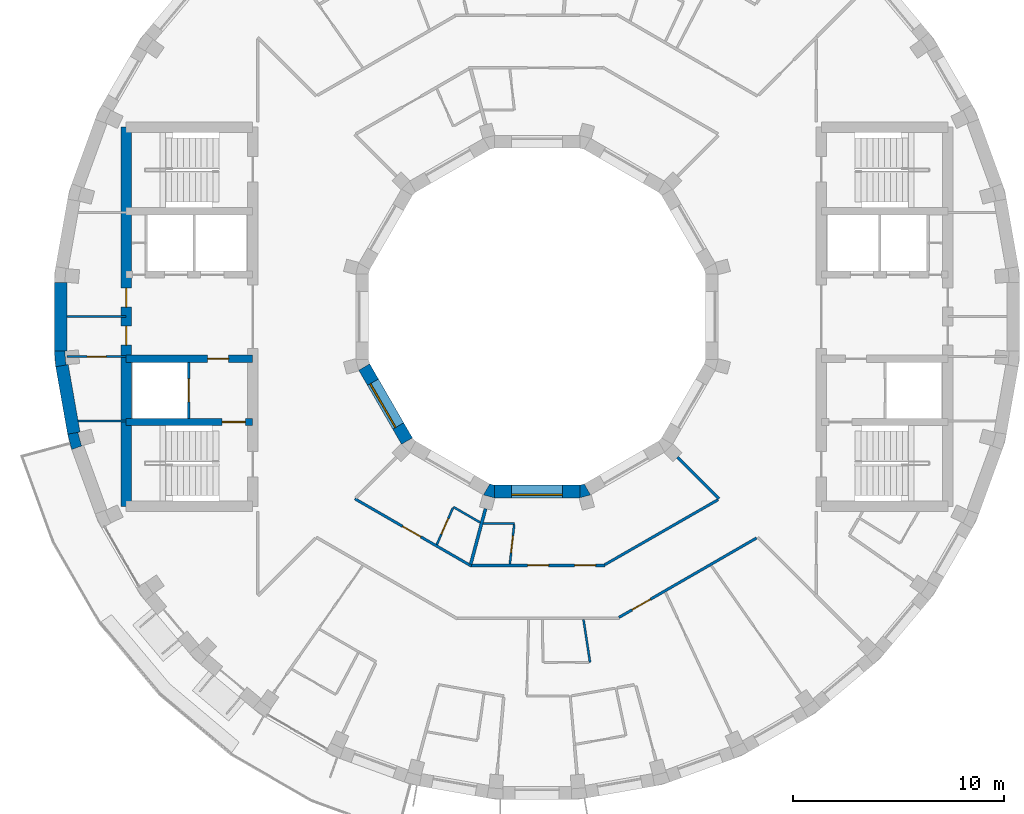
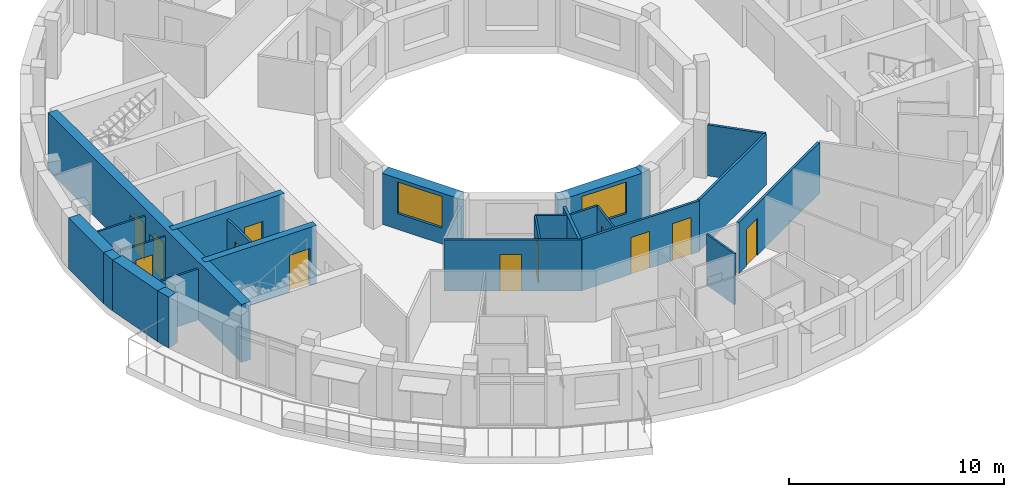
# One storey, part 5 of 12: 26 walls, 12 doors, 2 windows, 14 openings.
"""IFC4 building model written with IfcOpenShell, lengths in metres."""

from ifc_helpers import new_model, si_unit, direction, frame, frame_2d, origin, place, context, subcontext, project, spatial, polyline, rectangle, outline, extrude, material, layer, layer_set, type_object, element, fill, save


model = new_model("IFC4")

# Units and contexts
model_context = context("Model", 3, precision=1e-05, world=origin(), true_north=direction((0.0, 1.0)))
body_context = subcontext(model_context, "Body", "Model", "MODEL_VIEW")
ifc_project = project(units=[si_unit("LENGTHUNIT", "METRE"), si_unit("AREAUNIT", "SQUARE_METRE"), si_unit("VOLUMEUNIT", "CUBIC_METRE"), si_unit("PLANEANGLEUNIT", "RADIAN"), si_unit("MASSUNIT", "GRAM", prefix="KILO")], contexts=[model_context])

# Site, building, storey
site_placement = place(None, origin())
site = spatial("IfcSite", under=ifc_project, at=site_placement, CompositionType="ELEMENT")
building_placement = place(site_placement, origin())
building = spatial("IfcBuilding", under=site, at=building_placement, Name="Saqina Gate Tower", CompositionType="ELEMENT")
storey_placement = place(building_placement, frame((0.0, 0.0, 266.0)))
storey = spatial("IfcBuildingStorey", under=building, at=storey_placement, Name="L76", CompositionType="ELEMENT", Elevation=266.0)

# Walls
ifc_material_1 = material(Name="Brick masonry (buff)", Category="masonry")
wall_type_1 = type_object("IfcWallType", Name="BRICK PIER COPING BUFF", PredefinedType="SOLIDWALL", material=ifc_material_1)
wall_1_placement = place(storey_placement, origin())
element("IfcWall", 1, at=wall_1_placement, inside=storey, type_object=wall_type_1, Name="Pier cap L76 column 19", PredefinedType="SOLIDWALL", context=body_context, shape_type="SweptSolid", body=[
    extrude(outline(polyline([(-22.91259765625, -1.625732421875), (-22.8466796875, -2.377685546875), (-22.255859375, -2.2734375), (-22.361083984375, -2.28271484375), (-22.417724609375, -1.635009765625), (-22.3125, -1.625732421875), (-22.91259765625, -1.625732421875)])), origin(), (0.0, 0.0, 1.0), 2.89990234375),
])
wall_2_placement = place(storey_placement, origin())
element("IfcWall", 2, at=wall_2_placement, inside=storey, type_object=wall_type_1, Name="Pier cap L76 column 20", PredefinedType="SOLIDWALL", context=body_context, shape_type="SweptSolid", body=[
    extrude(outline(polyline([(-22.0869140625, -6.30859375), (-21.52294921875, -6.103515625), (-21.625, -6.130859375), (-21.793212890625, -5.5029296875), (-21.691162109375, -5.4755859375), (-22.281982421875, -5.579833984375), (-22.0869140625, -6.30859375)])), origin(), (0.0, 0.0, 1.0), 2.89990234375),
])
ifc_material_2 = material(Name="Gypsum board on steel studs", Category="steel")
ifc_layer_1 = layer(ifc_material_2, 0.10009765625)
ifc_layer_set_1 = layer_set([ifc_layer_1], Name="CORE PARTITION")
wall_type_2 = type_object("IfcWallType", Name="CORE PARTITION", PredefinedType="PARTITIONING", material=ifc_layer_set_1)
wall_3_placement = place(storey_placement, frame((-19.5, -4.949951171875, 0.0), z_axis=(0.0, 0.0, 1.0), x_axis=(-1.0, 0.0, 0.0)))
element("IfcWall", 3, at=wall_3_placement, inside=storey, type_object=wall_type_2, Name="L76-CP-W03", PredefinedType="PARTITIONING", context=body_context, shape_type="SweptSolid", body=[
    extrude(rectangle(XDim=2.283935546875, YDim=0.10009765625, at=frame_2d((1.14208984375, 0.0))), origin(), (0.0, 0.0, 1.0), 2.89990234375),
])

# Wall, opening, door
wall_4_placement = place(storey_placement, frame((-19.5, -1.89990234375, 0.0), z_axis=(0.0, 0.0, 1.0), x_axis=(-1.0, 0.0, 0.0)))
wall_4 = element("IfcWall", 4, at=wall_4_placement, inside=storey, type_object=wall_type_2, Name="L76-CP-W04", PredefinedType="PARTITIONING", context=body_context, shape_type="SweptSolid", body=[
    extrude(rectangle(XDim=2.8125, YDim=0.10009765625, at=frame_2d((1.40625, 0.0))), origin(), (0.0, 0.0, 1.0), 2.89990234375),
])
opening_1_placement = place(wall_4_placement, frame((0.956298828125, 0.0, 0.0)))
opening_1 = element("IfcOpeningElement", 5, at=opening_1_placement, cuts=wall_4, Name="Opening G22-D103", PredefinedType="OPENING", context=body_context, shape_type="SweptSolid", body=[
    extrude(rectangle(XDim=0.89990234375, YDim=2.10009765625, at=frame_2d((0.449951171875, 1.050048828125))), frame((0.0, 0.06201171875, 0.0), z_axis=(0.0, -1.0, 0.0), x_axis=(1.0, 0.0, 0.0)), (0.0, 0.0, 1.0), 0.1240234375),
])
ifc_material_3 = material(Name="Steel-framed fire door leaf, EI 60", Category="steel")
door_type_1 = type_object("IfcDoorType", Name="SERVICE ROOM DOOR 900", OperationType="SINGLE_SWING_LEFT", PredefinedType="DOOR", material=ifc_material_3)
door_1_placement = place(opening_1_placement, origin())
door_1 = element("IfcDoor", 6, at=door_1_placement, inside=storey, type_object=door_type_1, Name="L76-CD-W14", OperationType="SINGLE_SWING_RIGHT", OverallHeight=2.10009765625, OverallWidth=0.89990234375, PredefinedType="DOOR", context=body_context, shape_type="SweptSolid", body=[
    extrude(rectangle(XDim=0.89990234375, YDim=2.10009765625, at=frame_2d((0.449951171875, 1.050048828125))), frame((0.0, 0.02490234375, 0.0), z_axis=(0.0, -1.0, 0.0), x_axis=(1.0, 0.0, 0.0)), (0.0, 0.0, 1.0), 0.050048828125),
])
fill(opening_1, door_1)

# Walls
wall_5_placement = place(storey_placement, frame((-19.5, 0.0, 0.0), z_axis=(0.0, 0.0, 1.0), x_axis=(-1.0, 0.0, 0.0)))
element("IfcWall", 7, at=wall_5_placement, inside=storey, type_object=wall_type_2, Name="L76-CP-W05", PredefinedType="PARTITIONING", context=body_context, shape_type="SweptSolid", body=[
    extrude(rectangle(XDim=2.8125, YDim=0.10009765625, at=frame_2d((1.40625, 0.0))), origin(), (0.0, 0.0, 1.0), 2.89990234375),
])
ifc_material_4 = material(Name="Glazed ceramic tile", Category="ceramic")
ifc_layer_2 = layer(ifc_material_4, 0.60009765625)
ifc_layer_set_2 = layer_set([ifc_layer_2], Name="FW-TILE")
wall_type_3 = type_object("IfcWallType", Name="FW-TILE", PredefinedType="SOLIDWALL", material=ifc_layer_set_2)
wall_6_placement = place(storey_placement, frame((-22.55126953125, -2.325439453125, 0.0), z_axis=(0.0, 0.0, 1.0), x_axis=(0.173656842178, -0.984806225186, 0.0)))
element("IfcWall", 8, at=wall_6_placement, inside=storey, type_object=wall_type_3, Name="Facade wall L76 facet 19", PredefinedType="SOLIDWALL", context=body_context, shape_type="SweptSolid", body=[
    extrude(rectangle(XDim=3.251708984375, YDim=0.60009765625, at=frame_2d((1.6259765625, 0.0))), origin(), (0.0, 0.0, 1.0), 2.89990234375),
])
ifc_material_5 = material(Name="Glazed ceramic tile (dark blue)", Category="ceramic")
ifc_layer_3 = layer(ifc_material_5, 0.60009765625)
ifc_layer_set_3 = layer_set([ifc_layer_3], Name="FW-TILE-CB")
wall_type_4 = type_object("IfcWallType", Name="FW-TILE-CB", PredefinedType="SOLIDWALL", material=ifc_layer_set_3)
wall_7_placement = place(storey_placement, frame((-22.612548828125, 1.625732421875, 0.0), z_axis=(0.0, 0.0, 1.0), x_axis=(0.0, -1.0, 0.0)))
element("IfcWall", 9, at=wall_7_placement, inside=storey, type_object=wall_type_4, Name="Facade wall L76 facet 18", PredefinedType="SOLIDWALL", context=body_context, shape_type="SweptSolid", body=[
    extrude(rectangle(XDim=3.25146484375, YDim=0.60009765625, at=frame_2d((1.625732421875, 0.0))), origin(), (0.0, 0.0, 1.0), 2.89990234375),
])

# Wall, opening, window
ifc_material_6 = material(Name="Glazed ceramic tile", Category="ceramic")
ifc_layer_4 = layer(ifc_material_6, 0.60009765625)
ifc_layer_set_4 = layer_set([ifc_layer_4], Name="IW-TILE")
wall_type_5 = type_object("IfcWallType", Name="IW-TILE", PredefinedType="SOLIDWALL", material=ifc_layer_set_4)
wall_8_placement = place(storey_placement, frame((-8.20263671875, -2.392578125, 0.0), z_axis=(0.0, 0.0, 1.0), x_axis=(0.499994954979, -0.866028316509, 0.0)))
wall_8 = element("IfcWall", 10, at=wall_8_placement, inside=storey, type_object=wall_type_5, Name="Well wall L76 facet 7", PredefinedType="SOLIDWALL", context=body_context, shape_type="SweptSolid", body=[
    extrude(rectangle(XDim=4.05859375, YDim=0.60009765625, at=frame_2d((2.029296875, 0.0))), origin(), (0.0, 0.0, 1.0), 2.89990234375),
])
opening_2_placement = place(wall_8_placement, frame((0.829345703125, 0.0, 0.89990234375)))
opening_2 = element("IfcOpeningElement", 11, at=opening_2_placement, cuts=wall_8, Name="Opening G22-W29", PredefinedType="OPENING", context=body_context, shape_type="SweptSolid", body=[
    extrude(rectangle(XDim=2.39990234375, YDim=1.800048828125, at=frame_2d((1.199951171875, 0.89990234375))), frame((0.0, 0.31201171875, 0.0), z_axis=(0.0, -1.0, 0.0), x_axis=(1.0, 0.0, 0.0)), (0.0, 0.0, 1.0), 0.6240234375),
])
ifc_material_7 = material(Name="Aluminium glazing", Category="aluminium")
window_type = type_object("IfcWindowType", Name="WN-W", PartitioningType="SINGLE_PANEL", PredefinedType="WINDOW", material=ifc_material_7)
window_1_placement = place(opening_2_placement, origin())
window_1 = element("IfcWindow", 12, at=window_1_placement, inside=storey, type_object=window_type, Name="Well window L76 facet 7", OverallHeight=1.800048828125, OverallWidth=2.39990234375, PartitioningType="SINGLE_PANEL", PredefinedType="WINDOW", context=body_context, shape_type="SweptSolid", body=[
    extrude(rectangle(XDim=2.39990234375, YDim=1.800048828125, at=frame_2d((1.199951171875, 0.89990234375))), frame((0.0, -0.119873046875, 0.0), z_axis=(0.0, -1.0, 0.0), x_axis=(1.0, 0.0, 0.0)), (0.0, 0.0, 1.0), 0.06005859375),
])
fill(opening_2, window_1)

wall_9_placement = place(storey_placement, frame((-2.029296875, -8.300048828125, 0.0), z_axis=(0.0, 0.0, 1.0), x_axis=(1.0, 0.0, 0.0)))
wall_9 = element("IfcWall", 13, at=wall_9_placement, inside=storey, type_object=wall_type_5, Name="Well wall L76 facet 9", PredefinedType="SOLIDWALL", context=body_context, shape_type="SweptSolid", body=[
    extrude(rectangle(XDim=4.05859375, YDim=0.60009765625, at=frame_2d((2.029296875, 0.0))), origin(), (0.0, 0.0, 1.0), 2.89990234375),
])
opening_3_placement = place(wall_9_placement, frame((0.829345703125, 0.0, 0.89990234375)))
opening_3 = element("IfcOpeningElement", 14, at=opening_3_placement, cuts=wall_9, Name="Opening G22-W31", PredefinedType="OPENING", context=body_context, shape_type="SweptSolid", body=[
    extrude(rectangle(XDim=2.39990234375, YDim=1.800048828125, at=frame_2d((1.199951171875, 0.89990234375))), frame((0.0, 0.31201171875, 0.0), z_axis=(0.0, -1.0, 0.0), x_axis=(1.0, 0.0, 0.0)), (0.0, 0.0, 1.0), 0.6240234375),
])
window_2_placement = place(opening_3_placement, origin())
window_2 = element("IfcWindow", 15, at=window_2_placement, inside=storey, type_object=window_type, Name="Well window L76 facet 9", OverallHeight=1.800048828125, OverallWidth=2.39990234375, PartitioningType="SINGLE_PANEL", PredefinedType="WINDOW", context=body_context, shape_type="SweptSolid", body=[
    extrude(rectangle(XDim=2.39990234375, YDim=1.800048828125, at=frame_2d((1.199951171875, 0.89990234375))), frame((0.0, -0.119873046875, 0.0), z_axis=(0.0, -1.0, 0.0), x_axis=(1.0, 0.0, 0.0)), (0.0, 0.0, 1.0), 0.06005859375),
])
fill(opening_3, window_2)

# Walls
ifc_material_8 = material(Name="Gypsum board on steel studs, 100 mm", Category="steel")
ifc_layer_5 = layer(ifc_material_8, 0.10009765625)
ifc_layer_set_5 = layer_set([ifc_layer_5], Name="PARTITION 100")
wall_type_6 = type_object("IfcWallType", Name="PARTITION 100", PredefinedType="PARTITIONING", material=ifc_layer_set_5)
wall_10_placement = place(storey_placement, frame((2.20556640625, -14.371826171875, 0.0), z_axis=(0.0, 0.0, 1.0), x_axis=(0.151514148926, -0.988455088851, 0.0)))
element("IfcWall", 16, at=wall_10_placement, inside=storey, type_object=wall_type_6, Name="PARTITION PW3-04", PredefinedType="PARTITIONING", context=body_context, shape_type="SweptSolid", body=[
    extrude(rectangle(XDim=2.060791015625, YDim=0.10009765625, at=frame_2d((1.0302734375, 0.0))), origin(), (0.0, 0.0, 1.0), 2.89990234375),
])
wall_11_placement = place(storey_placement, frame((-3.971923828125, -9.033935546875, 0.0), z_axis=(0.0, 0.0, 1.0), x_axis=(0.865841190759, -0.500318930668, 0.0)))
element("IfcWall", 17, at=wall_11_placement, inside=storey, type_object=wall_type_6, Name="PARTITION PW3-18", PredefinedType="PARTITIONING", context=body_context, shape_type="SweptSolid", body=[
    extrude(rectangle(XDim=1.47607421875, YDim=0.10009765625, at=frame_2d((0.738037109375, 0.0))), origin(), (0.0, 0.0, 1.0), 2.89990234375),
])
wall_12_placement = place(storey_placement, frame((-2.553955078125, -9.81005859375, 0.0), z_axis=(0.0, 0.0, 1.0), x_axis=(1.0, 0.0, 0.0)))
element("IfcWall", 18, at=wall_12_placement, inside=storey, type_object=wall_type_6, Name="PARTITION PW3-28", PredefinedType="PARTITIONING", context=body_context, shape_type="SweptSolid", body=[
    extrude(rectangle(XDim=1.47705078125, YDim=0.10009765625, at=frame_2d((0.738525390625, 0.0))), origin(), (0.0, 0.0, 1.0), 2.89990234375),
])

# Wall, opening, door
wall_13_placement = place(storey_placement, frame((-4.7568359375, -10.81884765625, 0.0), z_axis=(0.0, 0.0, 1.0), x_axis=(0.402510340415, 0.915415438945, 0.0)))
wall_13 = element("IfcWall", 19, at=wall_13_placement, inside=storey, type_object=wall_type_6, Name="PARTITION PW3-47", PredefinedType="PARTITIONING", context=body_context, shape_type="SweptSolid", body=[
    extrude(rectangle(XDim=1.899658203125, YDim=0.10009765625, at=frame_2d((0.94970703125, 0.0))), origin(), (0.0, 0.0, 1.0), 2.89990234375),
])
opening_4_placement = place(wall_13_placement, frame((0.543701171875, 0.0, 0.0)))
opening_4 = element("IfcOpeningElement", 20, at=opening_4_placement, cuts=wall_13, Name="Opening G22-D30", PredefinedType="OPENING", context=body_context, shape_type="SweptSolid", body=[
    extrude(rectangle(XDim=0.800048828125, YDim=2.10009765625, at=frame_2d((0.39990234375, 1.050048828125))), frame((0.0, 0.06201171875, 0.0), z_axis=(0.0, -1.0, 0.0), x_axis=(1.0, 0.0, 0.0)), (0.0, 0.0, 1.0), 0.1240234375),
])
ifc_material_9 = material(Name="Timber door leaf, 800 mm", Category="wood")
door_type_2 = type_object("IfcDoorType", Name="DOOR 800 TIMBER", OperationType="SINGLE_SWING_LEFT", PredefinedType="DOOR", material=ifc_material_9)
door_2_placement = place(opening_4_placement, origin())
door_2 = element("IfcDoor", 21, at=door_2_placement, inside=storey, type_object=door_type_2, Name="DOOR G22-D30", OperationType="SINGLE_SWING_LEFT", OverallHeight=2.10009765625, OverallWidth=0.800048828125, PredefinedType="DOOR", context=body_context, shape_type="SweptSolid", body=[
    extrude(rectangle(XDim=0.800048828125, YDim=2.10009765625, at=frame_2d((0.39990234375, 1.050048828125))), frame((0.0, 0.02490234375, 0.0), z_axis=(0.0, -1.0, 0.0), x_axis=(1.0, 0.0, 0.0)), (0.0, 0.0, 1.0), 0.050048828125),
])
fill(opening_4, door_2)

wall_14_placement = place(storey_placement, frame((-1.290283203125, -11.747802734375, 0.0), z_axis=(0.0, 0.0, 1.0), x_axis=(0.109373495701, 0.99400072356, 0.0)))
wall_14 = element("IfcWall", 22, at=wall_14_placement, inside=storey, type_object=wall_type_6, Name="PARTITION PW3-52", PredefinedType="PARTITIONING", context=body_context, shape_type="SweptSolid", body=[
    extrude(rectangle(XDim=1.899658203125, YDim=0.10009765625, at=frame_2d((0.94970703125, 0.0))), origin(), (0.0, 0.0, 1.0), 2.89990234375),
])
opening_5_placement = place(wall_14_placement, frame((0.54345703125, 0.0, 0.0)))
opening_5 = element("IfcOpeningElement", 23, at=opening_5_placement, cuts=wall_14, Name="Opening G22-D32", PredefinedType="OPENING", context=body_context, shape_type="SweptSolid", body=[
    extrude(rectangle(XDim=0.800048828125, YDim=2.10009765625, at=frame_2d((0.39990234375, 1.050048828125))), frame((0.0, 0.06201171875, 0.0), z_axis=(0.0, -1.0, 0.0), x_axis=(1.0, 0.0, 0.0)), (0.0, 0.0, 1.0), 0.1240234375),
])
door_3_placement = place(opening_5_placement, frame((0.800048828125, 0.0, 0.0), z_axis=(0.0, 0.0, 1.0), x_axis=(-1.0, 0.0, 0.0)))
door_3 = element("IfcDoor", 24, at=door_3_placement, inside=storey, type_object=door_type_2, Name="DOOR G22-D32", OperationType="SINGLE_SWING_RIGHT", OverallHeight=2.10009765625, OverallWidth=0.800048828125, PredefinedType="DOOR", context=body_context, shape_type="SweptSolid", body=[
    extrude(rectangle(XDim=0.800048828125, YDim=2.10009765625, at=frame_2d((0.39990234375, 1.050048828125))), frame((0.0, 0.02490234375, 0.0), z_axis=(0.0, -1.0, 0.0), x_axis=(1.0, 0.0, 0.0)), (0.0, 0.0, 1.0), 0.050048828125),
])
fill(opening_5, door_3)

# Wall
ifc_material_10 = material(Name="Gypsum board on steel studs, 125 mm, fire rated", Category="steel")
ifc_layer_6 = layer(ifc_material_10, 0.125)
ifc_layer_set_6 = layer_set([ifc_layer_6], Name="PARTITION EI 30 125")
wall_type_7 = type_object("IfcWallType", Name="PARTITION EI 30 125", PredefinedType="PARTITIONING", material=ifc_layer_set_6)
wall_15_placement = place(storey_placement, frame((6.6767578125, -6.6767578125, 0.0), z_axis=(0.0, 0.0, 1.0), x_axis=(0.707106781187, -0.707106781187, 0.0)))
element("IfcWall", 25, at=wall_15_placement, inside=storey, type_object=wall_type_7, Name="PARTITION PW1-06", PredefinedType="PARTITIONING", context=body_context, shape_type="SweptSolid", body=[
    extrude(rectangle(XDim=2.784912109375, YDim=0.125, at=frame_2d((1.392578125, 0.0))), origin(), (0.0, 0.0, 1.0), 2.89990234375),
])

# Wall, opening, door
wall_16_placement = place(storey_placement, frame((-8.64599609375, -8.64599609375, 0.0), z_axis=(0.0, 0.0, 1.0), x_axis=(0.866085253322, -0.49989632323, 0.0)))
wall_16 = element("IfcWall", 26, at=wall_16_placement, inside=storey, type_object=wall_type_7, Name="PARTITION PW1-12", PredefinedType="PARTITIONING", context=body_context, shape_type="SweptSolid", body=[
    extrude(rectangle(XDim=6.401611328125, YDim=0.125, at=frame_2d((3.20068359375, 0.0))), origin(), (0.0, 0.0, 1.0), 2.89990234375),
])
opening_6_placement = place(wall_16_placement, frame((2.614013671875, 0.0, 0.0)))
opening_6 = element("IfcOpeningElement", 27, at=opening_6_placement, cuts=wall_16, Name="Opening G22-D29", PredefinedType="OPENING", context=body_context, shape_type="SweptSolid", body=[
    extrude(rectangle(XDim=1.0, YDim=2.10009765625, at=frame_2d((0.5, 1.050048828125))), frame((0.0, 0.074462890625, 0.0), z_axis=(0.0, -1.0, 0.0), x_axis=(1.0, 0.0, 0.0)), (0.0, 0.0, 1.0), 0.14892578125),
])
ifc_material_11 = material(Name="Fire door leaf EI 30, 1000 mm")
door_type_3 = type_object("IfcDoorType", Name="DOOR 1000 EI 30", OperationType="SINGLE_SWING_LEFT", PredefinedType="DOOR", material=ifc_material_11)
door_4_placement = place(opening_6_placement, origin())
door_4 = element("IfcDoor", 28, at=door_4_placement, inside=storey, type_object=door_type_3, Name="DOOR G22-D29", OperationType="SINGLE_SWING_LEFT", OverallHeight=2.10009765625, OverallWidth=1.0, PredefinedType="DOOR", context=body_context, shape_type="SweptSolid", body=[
    extrude(rectangle(XDim=1.0, YDim=2.10009765625, at=frame_2d((0.5, 1.050048828125))), frame((0.0, 0.02490234375, 0.0), z_axis=(0.0, -1.0, 0.0), x_axis=(1.0, 0.0, 0.0)), (0.0, 0.0, 1.0), 0.050048828125),
])
fill(opening_6, door_4)

# Wall, openings, doors
wall_17_placement = place(storey_placement, frame((-3.1015625, -11.81005859375, 0.0), z_axis=(0.0, 0.0, 1.0), x_axis=(1.0, 0.0, 0.0)))
wall_17 = element("IfcWall", 29, at=wall_17_placement, inside=storey, type_object=wall_type_7, Name="PARTITION PW1-18", PredefinedType="PARTITIONING", context=body_context, shape_type="SweptSolid", body=[
    extrude(rectangle(XDim=6.337646484375, YDim=0.125, at=frame_2d((3.1689453125, 0.0))), origin(), (0.0, 0.0, 1.0), 2.89990234375),
])
opening_7_placement = place(wall_17_placement, frame((2.652099609375, 0.0, 0.0)))
opening_7 = element("IfcOpeningElement", 30, at=opening_7_placement, cuts=wall_17, Name="Opening G22-D35", PredefinedType="OPENING", context=body_context, shape_type="SweptSolid", body=[
    extrude(rectangle(XDim=1.0, YDim=2.10009765625, at=frame_2d((0.5, 1.050048828125))), frame((0.0, 0.074462890625, 0.0), z_axis=(0.0, -1.0, 0.0), x_axis=(1.0, 0.0, 0.0)), (0.0, 0.0, 1.0), 0.14892578125),
])
opening_8_placement = place(wall_17_placement, frame((4.883056640625, 0.0, 0.0)))
opening_8 = element("IfcOpeningElement", 31, at=opening_8_placement, cuts=wall_17, Name="Opening G22-D38", PredefinedType="OPENING", context=body_context, shape_type="SweptSolid", body=[
    extrude(rectangle(XDim=1.0, YDim=2.10009765625, at=frame_2d((0.5, 1.050048828125))), frame((0.0, 0.074462890625, 0.0), z_axis=(0.0, -1.0, 0.0), x_axis=(1.0, 0.0, 0.0)), (0.0, 0.0, 1.0), 0.14892578125),
])
door_5_placement = place(opening_7_placement, origin())
door_5 = element("IfcDoor", 32, at=door_5_placement, inside=storey, type_object=door_type_3, Name="DOOR G22-D35", OperationType="SINGLE_SWING_LEFT", OverallHeight=2.10009765625, OverallWidth=1.0, PredefinedType="DOOR", context=body_context, shape_type="SweptSolid", body=[
    extrude(rectangle(XDim=1.0, YDim=2.10009765625, at=frame_2d((0.5, 1.050048828125))), frame((0.0, 0.02490234375, 0.0), z_axis=(0.0, -1.0, 0.0), x_axis=(1.0, 0.0, 0.0)), (0.0, 0.0, 1.0), 0.050048828125),
])
fill(opening_7, door_5)
door_6_placement = place(opening_8_placement, origin())
door_6 = element("IfcDoor", 33, at=door_6_placement, inside=storey, type_object=door_type_3, Name="DOOR G22-D38", OperationType="SINGLE_SWING_RIGHT", OverallHeight=2.10009765625, OverallWidth=1.0, PredefinedType="DOOR", context=body_context, shape_type="SweptSolid", body=[
    extrude(rectangle(XDim=1.0, YDim=2.10009765625, at=frame_2d((0.5, 1.050048828125))), frame((0.0, 0.02490234375, 0.0), z_axis=(0.0, -1.0, 0.0), x_axis=(1.0, 0.0, 0.0)), (0.0, 0.0, 1.0), 0.050048828125),
])
fill(opening_8, door_6)

# Wall
wall_18_placement = place(storey_placement, frame((3.216064453125, -11.775146484375, 0.0), z_axis=(0.0, 0.0, 1.0), x_axis=(0.86736732566, 0.497668486422, 0.0)))
element("IfcWall", 34, at=wall_18_placement, inside=storey, type_object=wall_type_7, Name="PARTITION PW1-25", PredefinedType="PARTITIONING", context=body_context, shape_type="SweptSolid", body=[
    extrude(rectangle(XDim=6.2021484375, YDim=0.125, at=frame_2d((3.10107421875, 0.0))), origin(), (0.0, 0.0, 1.0), 2.89990234375),
])

# Wall, opening, door
wall_19_placement = place(storey_placement, frame((3.88818359375, -14.27880859375, 0.0), z_axis=(0.0, 0.0, 1.0), x_axis=(0.866068111199, 0.499926021291, 0.0)))
wall_19 = element("IfcWall", 35, at=wall_19_placement, inside=storey, type_object=wall_type_7, Name="PARTITION PW1-26", PredefinedType="PARTITIONING", context=body_context, shape_type="SweptSolid", body=[
    extrude(rectangle(XDim=7.544189453125, YDim=0.125, at=frame_2d((3.77197265625, 0.0))), origin(), (0.0, 0.0, 1.0), 2.89990234375),
])
opening_9_placement = place(wall_19_placement, frame((0.72705078125, 0.0, 0.0)))
opening_9 = element("IfcOpeningElement", 36, at=opening_9_placement, cuts=wall_19, Name="Opening G22-D40", PredefinedType="OPENING", context=body_context, shape_type="SweptSolid", body=[
    extrude(rectangle(XDim=1.0, YDim=2.10009765625, at=frame_2d((0.5, 1.050048828125))), frame((0.0, 0.074462890625, 0.0), z_axis=(0.0, -1.0, 0.0), x_axis=(1.0, 0.0, 0.0)), (0.0, 0.0, 1.0), 0.14892578125),
])
door_7_placement = place(opening_9_placement, frame((1.0, 0.0, 0.0), z_axis=(0.0, 0.0, 1.0), x_axis=(-1.0, 0.0, 0.0)))
door_7 = element("IfcDoor", 37, at=door_7_placement, inside=storey, type_object=door_type_3, Name="DOOR G22-D40", OperationType="SINGLE_SWING_RIGHT", OverallHeight=2.10009765625, OverallWidth=1.0, PredefinedType="DOOR", context=body_context, shape_type="SweptSolid", body=[
    extrude(rectangle(XDim=1.0, YDim=2.10009765625, at=frame_2d((0.5, 1.050048828125))), frame((0.0, 0.02490234375, 0.0), z_axis=(0.0, -1.0, 0.0), x_axis=(1.0, 0.0, 0.0)), (0.0, 0.0, 1.0), 0.050048828125),
])
fill(opening_9, door_7)

# Wall
ifc_material_12 = material(Name="Gypsum board on steel studs, 150 mm, fire rated", Category="steel")
ifc_layer_7 = layer(ifc_material_12, 0.14990234375)
ifc_layer_set_7 = layer_set([ifc_layer_7], Name="PARTITION EI 60 150")
wall_type_8 = type_object("IfcWallType", Name="PARTITION EI 60 150", PredefinedType="PARTITIONING", material=ifc_layer_set_7)
wall_20_placement = place(storey_placement, frame((-3.14794921875, -11.74951171875, 0.0), z_axis=(0.0, 0.0, 1.0), x_axis=(0.258438641581, 0.96602767483, 0.0)))
element("IfcWall", 38, at=wall_20_placement, inside=storey, type_object=wall_type_8, Name="PARTITION PW2-05", PredefinedType="PARTITIONING", context=body_context, shape_type="SweptSolid", body=[
    extrude(rectangle(XDim=2.7216796875, YDim=0.14990234375, at=frame_2d((1.36083984375, 0.0))), origin(), (0.0, 0.0, 1.0), 2.89990234375),
])

# Wall, opening, door
ifc_material_13 = material(Name="Autoclaved aerated concrete block", Category="concrete")
ifc_layer_8 = layer(ifc_material_13, 0.1201171875)
ifc_layer_set_8 = layer_set([ifc_layer_8], Name="SHAFT PARTITION")
wall_type_9 = type_object("IfcWallType", Name="SHAFT PARTITION", PredefinedType="PARTITIONING", material=ifc_layer_set_8)
wall_21_placement = place(storey_placement, frame((-16.530029296875, -4.824951171875, 0.0), z_axis=(0.0, 0.0, 1.0), x_axis=(0.0, 1.0, 0.0)))
wall_21 = element("IfcWall", 39, at=wall_21_placement, inside=storey, type_object=wall_type_9, Name="L76-CP-W08", PredefinedType="PARTITIONING", context=body_context, shape_type="SweptSolid", body=[
    extrude(rectangle(XDim=2.64990234375, YDim=0.1201171875, at=frame_2d((1.324951171875, 0.0))), origin(), (0.0, 0.0, 1.0), 2.89990234375),
])
opening_10_placement = place(wall_21_placement, frame((0.77490234375, 0.0, 0.0)))
opening_10 = element("IfcOpeningElement", 40, at=opening_10_placement, cuts=wall_21, Name="Opening G22-LD6", PredefinedType="OPENING", context=body_context, shape_type="SweptSolid", body=[
    extrude(rectangle(XDim=1.10009765625, YDim=2.10009765625, at=frame_2d((0.550048828125, 1.050048828125))), frame((0.0, 0.072021484375, 0.0), z_axis=(0.0, -1.0, 0.0), x_axis=(1.0, 0.0, 0.0)), (0.0, 0.0, 1.0), 0.14404296875),
])
ifc_material_14 = material(Name="Stainless steel", Category="steel")
door_type_4 = type_object("IfcDoorType", Name="LANDING DOOR", OperationType="DOUBLE_DOOR_SLIDING", PredefinedType="DOOR", material=ifc_material_14)
door_8_placement = place(opening_10_placement, origin())
door_8 = element("IfcDoor", 41, at=door_8_placement, inside=storey, type_object=door_type_4, Name="LANDING DOOR FF2", OperationType="DOUBLE_DOOR_SLIDING", OverallHeight=2.10009765625, OverallWidth=1.10009765625, PredefinedType="DOOR", context=body_context, shape_type="SweptSolid", body=[
    extrude(rectangle(XDim=1.10009765625, YDim=2.10009765625, at=frame_2d((0.550048828125, 1.050048828125))), frame((0.0, 0.02490234375, 0.0), z_axis=(0.0, -1.0, 0.0), x_axis=(1.0, 0.0, 0.0)), (0.0, 0.0, 1.0), 0.050048828125),
])
fill(opening_10, door_8)

ifc_material_15 = material(Name="Concrete C60/75", Category="concrete")
ifc_layer_9 = layer(ifc_material_15, 0.35009765625)
ifc_layer_set_9 = layer_set([ifc_layer_9], Name="Concrete C60/75")
wall_type_10 = type_object("IfcWallType", Name="STR-CORE WALL-D-I", PredefinedType="SHEAR", material=ifc_layer_set_9)
wall_22_placement = place(storey_placement, frame((-13.5, -5.0, 0.0), z_axis=(0.0, 0.0, 1.0), x_axis=(-1.0, 0.0, 0.0)))
wall_22 = element("IfcWall", 42, at=wall_22_placement, inside=storey, type_object=wall_type_10, Name="CORE WALL L76 W-X2", PredefinedType="SHEAR", context=body_context, shape_type="SweptSolid", body=[
    extrude(rectangle(XDim=6.0, YDim=0.35009765625, at=frame_2d((3.0, 0.0))), origin(), (0.0, 0.0, 1.0), 3.300048828125),
])
opening_11_placement = place(wall_22_placement, frame((0.35009765625, 0.0, 0.0)))
opening_11 = element("IfcOpeningElement", 43, at=opening_11_placement, cuts=wall_22, Name="Opening G22-D106", PredefinedType="OPENING", context=body_context, shape_type="SweptSolid", body=[
    extrude(rectangle(XDim=1.10009765625, YDim=2.10009765625, at=frame_2d((0.550048828125, 1.050048828125))), frame((0.0, 0.18701171875, 0.0), z_axis=(0.0, -1.0, 0.0), x_axis=(1.0, 0.0, 0.0)), (0.0, 0.0, 1.0), 0.3740234375),
])
ifc_material_16 = material(Name="Steel", Category="steel")
door_type_5 = type_object("IfcDoorType", Name="FIRE LOBBY DOOR EI 60 WIDE", OperationType="SINGLE_SWING_LEFT", PredefinedType="DOOR", material=ifc_material_16)
door_9_placement = place(opening_11_placement, origin())
door_9 = element("IfcDoor", 44, at=door_9_placement, inside=storey, type_object=door_type_5, Name="L76-CD-W17", OperationType="SINGLE_SWING_LEFT", OverallHeight=2.10009765625, OverallWidth=1.10009765625, PredefinedType="DOOR", context=body_context, shape_type="SweptSolid", body=[
    extrude(rectangle(XDim=1.10009765625, YDim=2.10009765625, at=frame_2d((0.550048828125, 1.050048828125))), frame((0.0, 0.02490234375, 0.0), z_axis=(0.0, -1.0, 0.0), x_axis=(1.0, 0.0, 0.0)), (0.0, 0.0, 1.0), 0.050048828125),
])
fill(opening_11, door_9)

wall_23_placement = place(storey_placement, frame((-13.5, -2.0, 0.0), z_axis=(0.0, 0.0, 1.0), x_axis=(-1.0, 0.0, 0.0)))
wall_23 = element("IfcWall", 45, at=wall_23_placement, inside=storey, type_object=wall_type_10, Name="CORE WALL L76 W-L2", PredefinedType="SHEAR", context=body_context, shape_type="SweptSolid", body=[
    extrude(rectangle(XDim=6.0, YDim=0.35009765625, at=frame_2d((3.0, 0.0))), origin(), (0.0, 0.0, 1.0), 3.300048828125),
])
opening_12_placement = place(wall_23_placement, frame((1.139892578125, 0.0, 0.0)))
opening_12 = element("IfcOpeningElement", 46, at=opening_12_placement, cuts=wall_23, Name="Opening G22-D101", PredefinedType="OPENING", context=body_context, shape_type="SweptSolid", body=[
    extrude(rectangle(XDim=1.0, YDim=2.10009765625, at=frame_2d((0.5, 1.050048828125))), frame((0.0, 0.18701171875, 0.0), z_axis=(0.0, -1.0, 0.0), x_axis=(1.0, 0.0, 0.0)), (0.0, 0.0, 1.0), 0.3740234375),
])
ifc_material_17 = material(Name="Steel", Category="steel")
door_type_6 = type_object("IfcDoorType", Name="FIRE LOBBY DOOR EI 60", OperationType="SINGLE_SWING_LEFT", PredefinedType="DOOR", material=ifc_material_17)
door_10_placement = place(opening_12_placement, frame((1.0, 0.0, 0.0), z_axis=(0.0, 0.0, 1.0), x_axis=(-1.0, 0.0, 0.0)))
door_10 = element("IfcDoor", 47, at=door_10_placement, inside=storey, type_object=door_type_6, Name="L76-CD-W12", OperationType="SINGLE_SWING_RIGHT", OverallHeight=2.10009765625, OverallWidth=1.0, PredefinedType="DOOR", context=body_context, shape_type="SweptSolid", body=[
    extrude(rectangle(XDim=1.0, YDim=2.10009765625, at=frame_2d((0.5, 1.050048828125))), frame((0.0, 0.02490234375, 0.0), z_axis=(0.0, -1.0, 0.0), x_axis=(1.0, 0.0, 0.0)), (0.0, 0.0, 1.0), 0.050048828125),
])
fill(opening_12, door_10)

# Wall, openings, doors
ifc_material_18 = material(Name="Concrete C60/75", Category="concrete")
ifc_layer_10 = layer(ifc_material_18, 0.5)
ifc_layer_set_10 = layer_set([ifc_layer_10], Name="Concrete C60/75")
wall_type_11 = type_object("IfcWallType", Name="STR-CORE WALL-D-O", PredefinedType="SHEAR", material=ifc_layer_set_10)
wall_24_placement = place(storey_placement, frame((-19.5, -9.0, 0.0), z_axis=(0.0, 0.0, 1.0), x_axis=(0.0, 1.0, 0.0)))
wall_24 = element("IfcWall", 48, at=wall_24_placement, inside=storey, type_object=wall_type_11, Name="CORE WALL L76 W-W2", PredefinedType="SHEAR", context=body_context, shape_type="SweptSolid", body=[
    extrude(rectangle(XDim=18.0, YDim=0.5, at=frame_2d((9.0, 0.0))), origin(), (0.0, 0.0, 1.0), 3.300048828125),
])
opening_13_placement = place(wall_24_placement, frame((9.449951171875, 0.0, 0.0)))
opening_13 = element("IfcOpeningElement", 49, at=opening_13_placement, cuts=wall_24, Name="Opening G22-D102", PredefinedType="OPENING", context=body_context, shape_type="SweptSolid", body=[
    extrude(rectangle(XDim=0.89990234375, YDim=2.10009765625, at=frame_2d((0.449951171875, 1.050048828125))), frame((0.0, 0.261962890625, 0.0), z_axis=(0.0, -1.0, 0.0), x_axis=(1.0, 0.0, 0.0)), (0.0, 0.0, 1.0), 0.52392578125),
])
opening_14_placement = place(wall_24_placement, frame((7.64990234375, 0.0, 0.0)))
opening_14 = element("IfcOpeningElement", 50, at=opening_14_placement, cuts=wall_24, Name="Opening G22-D104", PredefinedType="OPENING", context=body_context, shape_type="SweptSolid", body=[
    extrude(rectangle(XDim=0.89990234375, YDim=2.10009765625, at=frame_2d((0.449951171875, 1.050048828125))), frame((0.0, 0.261962890625, 0.0), z_axis=(0.0, -1.0, 0.0), x_axis=(1.0, 0.0, 0.0)), (0.0, 0.0, 1.0), 0.52392578125),
])
door_11_placement = place(opening_13_placement, origin())
door_11 = element("IfcDoor", 51, at=door_11_placement, inside=storey, type_object=door_type_1, Name="L76-CD-W13", OperationType="SINGLE_SWING_LEFT", OverallHeight=2.10009765625, OverallWidth=0.89990234375, PredefinedType="DOOR", context=body_context, shape_type="SweptSolid", body=[
    extrude(rectangle(XDim=0.89990234375, YDim=2.10009765625, at=frame_2d((0.449951171875, 1.050048828125))), frame((0.0, 0.02490234375, 0.0), z_axis=(0.0, -1.0, 0.0), x_axis=(1.0, 0.0, 0.0)), (0.0, 0.0, 1.0), 0.050048828125),
])
fill(opening_13, door_11)
door_12_placement = place(opening_14_placement, origin())
door_12 = element("IfcDoor", 52, at=door_12_placement, inside=storey, type_object=door_type_1, Name="L76-CD-W15", OperationType="SINGLE_SWING_LEFT", OverallHeight=2.10009765625, OverallWidth=0.89990234375, PredefinedType="DOOR", context=body_context, shape_type="SweptSolid", body=[
    extrude(rectangle(XDim=0.89990234375, YDim=2.10009765625, at=frame_2d((0.449951171875, 1.050048828125))), frame((0.0, 0.02490234375, 0.0), z_axis=(0.0, -1.0, 0.0), x_axis=(1.0, 0.0, 0.0)), (0.0, 0.0, 1.0), 0.050048828125),
])
fill(opening_14, door_12)

# Walls
ifc_material_19 = material(Name="Glazed ceramic tile", Category="ceramic")
wall_type_12 = type_object("IfcWallType", Name="TILE PIER COPING", PredefinedType="SOLIDWALL", material=ifc_material_19)
wall_25_placement = place(storey_placement, origin())
element("IfcWall", 53, at=wall_25_placement, inside=storey, type_object=wall_type_12, Name="Well pier cap L76 column 9", PredefinedType="SOLIDWALL", context=body_context, shape_type="SweptSolid", body=[
    extrude(outline(polyline([(-2.029296875, -8.60009765625), (-2.029296875, -8.0), (-2.242431640625, -7.94287109375), (-2.54248046875, -8.46240234375), (-2.029296875, -8.60009765625)])), origin(), (0.0, 0.0, 1.0), 2.89990234375),
])
wall_26_placement = place(storey_placement, origin())
element("IfcWall", 54, at=wall_26_placement, inside=storey, type_object=wall_type_12, Name="Well pier cap L76 column 10", PredefinedType="SOLIDWALL", context=body_context, shape_type="SweptSolid", body=[
    extrude(outline(polyline([(2.54248046875, -8.46240234375), (2.242431640625, -7.94287109375), (2.029296875, -8.0), (2.029296875, -8.60009765625), (2.54248046875, -8.46240234375)])), origin(), (0.0, 0.0, 1.0), 2.89990234375),
])

save(model, "model.ifc")
